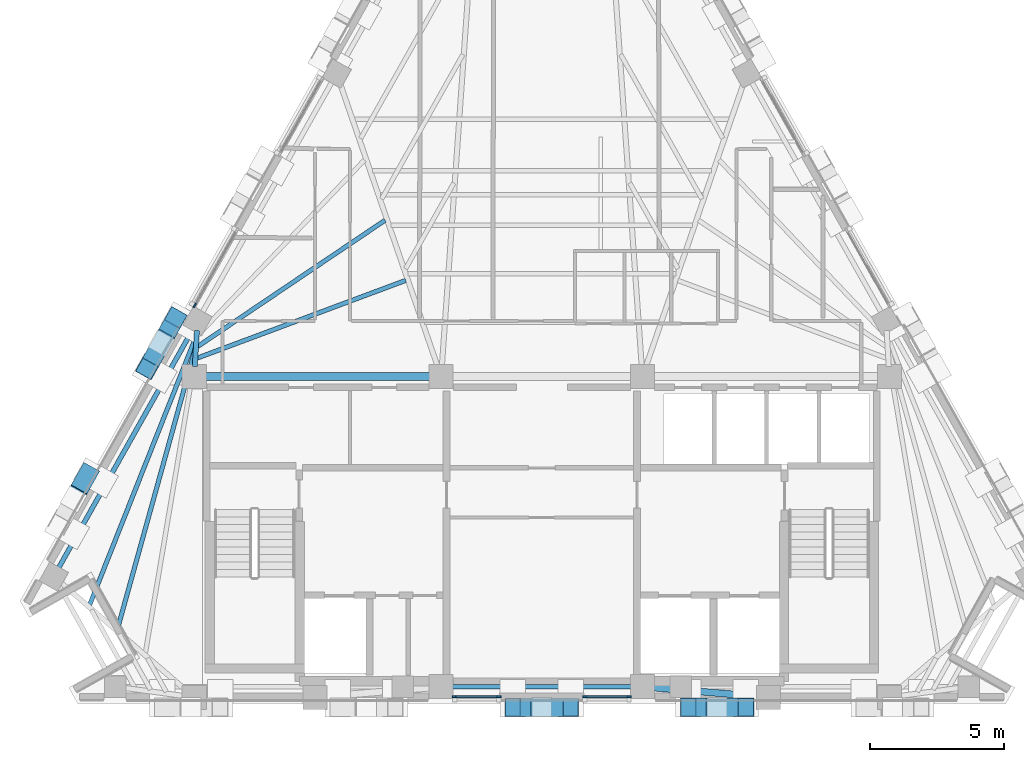
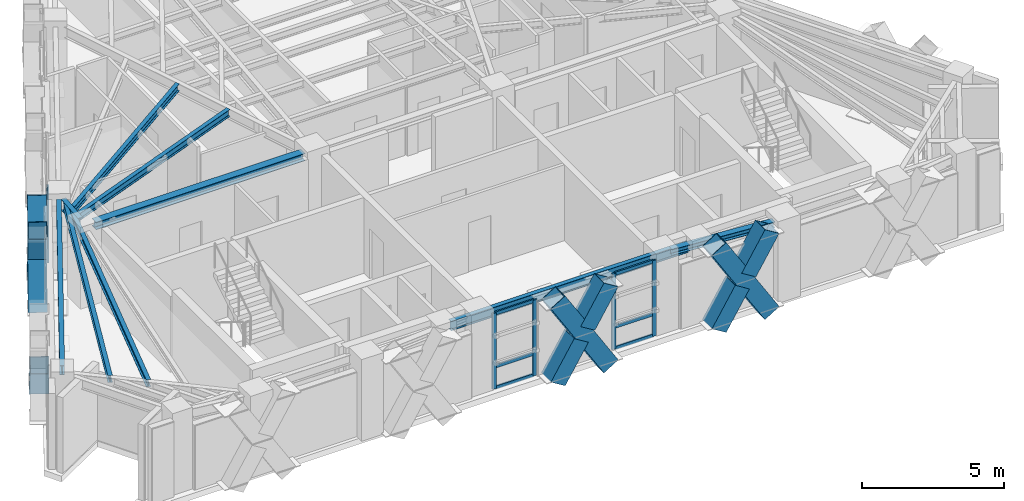
# One storey, part 2 of 10: 21 members, 9 beams, 3 elements without a shape of their own.
"""IFC4 building model written with IfcOpenShell, lengths in metres."""

import ifcopenshell
import ifcopenshell.guid

model = None  # the IFC model being written
_history = None  # IfcOwnerHistory: only IFC2X3 demands one
_inside = {}  # id of a spatial element -> (the spatial element, [elements in it])
_under = {}  # id of a project, library or spatial element -> (it, [spatial elements below it])
_declared = {}  # id of a project -> (the project, [libraries it declares])
_typed = {}  # id of a type object -> (the type object, [elements of that type])
_made_of = {}  # id of a material, layer set ... -> (it, [elements and type objects made of it])


def new_model(schema):
    """Start an empty IFC model of exactly this schema.

    Asked for "IFC4X3", IfcOpenShell would pick the latest addendum, in which some entities
    have other attributes; the version numbers below select the first issue.
    IFC2X3 requires an IfcOwnerHistory on every rooted entity: one is made here for all.
    """
    global model, _history
    if schema == "IFC4X3":
        model = ifcopenshell.file(schema_version=(4, 3, 0, 0))
    else:
        model = ifcopenshell.file(schema=schema)
    _inside.clear()
    _under.clear()
    _declared.clear()
    _typed.clear()
    _made_of.clear()
    _history = None
    if model.schema == "IFC2X3":
        org = make("IfcOrganization", Name="unknown")
        user = make(
            "IfcPersonAndOrganization",
            ThePerson=make("IfcPerson", FamilyName="unknown"),
            TheOrganization=org,
        )
        app = make(
            "IfcApplication",
            ApplicationDeveloper=org,
            Version="unknown",
            ApplicationFullName="unknown",
            ApplicationIdentifier="unknown",
        )
        _history = make(
            "IfcOwnerHistory",
            OwningUser=user,
            OwningApplication=app,
            ChangeAction="ADDED",
            CreationDate=0,
        )
    return model


def make(cls, **values):
    """One entity of the class cls with the attributes given. An attribute that is None is left unset."""
    return model.create_entity(
        cls, **{name: value for name, value in values.items() if value is not None}
    )


def rooted(cls, **values):
    """An entity with a GlobalId (a new one), such as an element, a storey or a relation."""
    return make(cls, GlobalId=ifcopenshell.guid.new(), OwnerHistory=_history, **values)


def si_unit(unit_type, name, prefix=None):
    """IfcSIUnit, for example si_unit("LENGTHUNIT", "METRE", prefix="MILLI")."""
    return make("IfcSIUnit", UnitType=unit_type, Prefix=prefix, Name=name)


def assignment(units):
    """IfcUnitAssignment: the units of a project."""
    return None if units is None else make("IfcUnitAssignment", Units=units)


def point(xyz):
    """IfcCartesianPoint."""
    return None if xyz is None else make("IfcCartesianPoint", Coordinates=xyz)


def direction(xyz):
    """IfcDirection."""
    return None if xyz is None else make("IfcDirection", DirectionRatios=xyz)


def frame(location, z_axis=None, x_axis=None):
    """IfcAxis2Placement3D, a coordinate frame: its origin and axes. An axis left out is left unset."""
    return make(
        "IfcAxis2Placement3D",
        Location=point(location),
        Axis=direction(z_axis),
        RefDirection=direction(x_axis),
    )


def frame_2d(location, x_axis=None):
    """IfcAxis2Placement2D, a coordinate frame in the plane: its origin and x axis."""
    return make(
        "IfcAxis2Placement2D", Location=point(location), RefDirection=direction(x_axis)
    )


def origin():
    """The frame at (0, 0, 0) with its axes left unset."""
    return frame((0.0, 0.0, 0.0))


def origin_2d():
    """The frame at (0, 0) in the plane with its x axis left unset."""
    return frame_2d((0.0, 0.0))


def place(relative_to, where):
    """IfcLocalPlacement: puts the frame where relative to a parent placement (None: the world)."""
    return make(
        "IfcLocalPlacement", PlacementRelTo=relative_to, RelativePlacement=where
    )


def context(
    kind, dimensions, precision=None, world=None, true_north=None, identifier=None
):
    """IfcGeometricRepresentationContext, for example the 3D "Model" context."""
    return make(
        "IfcGeometricRepresentationContext",
        ContextIdentifier=identifier,
        ContextType=kind,
        CoordinateSpaceDimension=dimensions,
        Precision=precision,
        WorldCoordinateSystem=world,
        TrueNorth=true_north,
    )


def subcontext(parent, identifier, kind, view, scale=None):
    """IfcGeometricRepresentationSubContext, for example "Body" below "Model"."""
    return make(
        "IfcGeometricRepresentationSubContext",
        ContextIdentifier=identifier,
        ContextType=kind,
        ParentContext=parent,
        TargetScale=scale,
        TargetView=view,
    )


def project(units=None, contexts=None):
    """IfcProject with its units and contexts."""
    return rooted(
        "IfcProject",
        Name="project",
        RepresentationContexts=contexts,
        UnitsInContext=assignment(units),
    )


def spatial(cls, under=None, at=None, **own):
    """A site, building, storey or space (cls), placed at a placement, below another one or the project."""
    s = rooted(cls, ObjectPlacement=at, **own)
    if under is not None:
        _under.setdefault(under.id(), (under, []))[1].append(s)
    return s


def profile(cls, at=None, kind="AREA", **sizes):
    """A parametric profile (cls). Its sizes go by their IFC names, for example OverallWidth=200.0."""
    return make(cls, ProfileType=kind, Position=at, **sizes)


def rectangle(**sizes):
    """IfcRectangleProfileDef."""
    return profile("IfcRectangleProfileDef", **sizes)


def hollow_rectangle(**sizes):
    """IfcRectangleHollowProfileDef."""
    return profile("IfcRectangleHollowProfileDef", **sizes)


def i_section(**sizes):
    """IfcIShapeProfileDef."""
    return profile("IfcIShapeProfileDef", **sizes)


def extrude(swept, where, along, depth):
    """IfcExtrudedAreaSolid: the profile swept, set in the frame where, extruded along a direction by depth."""
    return make(
        "IfcExtrudedAreaSolid",
        SweptArea=swept,
        Position=where,
        ExtrudedDirection=direction(along),
        Depth=depth,
    )


def shape(context_of_items, identifier, shape_type, items):
    """IfcShapeRepresentation: the items that make up one representation, for example the "Body"."""
    return make(
        "IfcShapeRepresentation",
        ContextOfItems=context_of_items,
        RepresentationIdentifier=identifier,
        RepresentationType=shape_type,
        Items=items,
    )


def material(Name=None, Category=None):
    """IfcMaterial."""
    return make("IfcMaterial", Name=Name, Category=Category)


def material_profile(
    of_material, cross_section, Name=None, Category=None, Priority=None
):
    """IfcMaterialProfile: a cross section and its material."""
    return make(
        "IfcMaterialProfile",
        Name=Name,
        Material=of_material,
        Profile=cross_section,
        Priority=Priority,
        Category=Category,
    )


def profile_set(profiles, Name=None, composite=None):
    """IfcMaterialProfileSet."""
    return make(
        "IfcMaterialProfileSet",
        Name=Name,
        MaterialProfiles=profiles,
        CompositeProfile=composite,
    )


def made_of(thing, what):
    """Note that an element or type object is made of a material, layer set ...; save() writes the relation."""
    if what is not None:
        _made_of.setdefault(what.id(), (what, []))[1].append(thing)
    return thing


def type_object(cls, material=None, **own):
    """A type object (cls), such as IfcWallType, which elements share."""
    return made_of(rooted(cls, **own), material)


def element(
    cls,
    number,
    at=None,
    inside=None,
    cuts=None,
    type_object=None,
    material=None,
    context=None,
    identifier="Body",
    shape_type=None,
    held_by="IfcProductDefinitionShape",
    body=None,
    shapes=None,
    **own,
):
    """One element of the class cls, such as IfcWall. Its Tag is "e" and its number.

    at: its placement. inside: the storey or other place that contains it. cuts: it is an
    opening in that element (IfcRelVoidsElement). A single representation is given by context,
    identifier, shape_type and body (its items); several are given by shapes. held_by: the class
    of the entity that holds the representations. save() writes the other relations.
    """
    e = rooted(cls, Tag="e%d" % number, ObjectPlacement=at, **own)
    if body is not None:
        shapes = [shape(context, identifier, shape_type, body)]
    if shapes is not None:
        e.Representation = make(held_by, Representations=shapes)
    if inside is not None:
        _inside.setdefault(inside.id(), (inside, []))[1].append(e)
    if cuts is not None:
        rooted(
            "IfcRelVoidsElement", RelatingBuildingElement=cuts, RelatedOpeningElement=e
        )
    if type_object is not None:
        _typed.setdefault(type_object.id(), (type_object, []))[1].append(e)
    return made_of(e, material)


def aggregate(whole, parts):
    """IfcRelAggregates: a whole, such as a stair, and the parts it consists of."""
    return rooted("IfcRelAggregates", RelatingObject=whole, RelatedObjects=parts)


def save(model, path):
    """Write the relations noted so far, then the file.

    IfcRelAggregates (storeys below a building ...), IfcRelContainedInSpatialStructure (elements
    in a storey), IfcRelDefinesByType, IfcRelAssociatesMaterial and IfcRelDeclares: one each for
    every whole, place, type object, material and project.
    """
    for whole, parts in _under.values():
        aggregate(whole, parts)
    for where, things in _inside.values():
        rooted(
            "IfcRelContainedInSpatialStructure",
            RelatedElements=things,
            RelatingStructure=where,
        )
    for kind, things in _typed.values():
        rooted("IfcRelDefinesByType", RelatedObjects=things, RelatingType=kind)
    for what, things in _made_of.values():
        rooted("IfcRelAssociatesMaterial", RelatedObjects=things, RelatingMaterial=what)
    for by, libraries in _declared.values():
        rooted("IfcRelDeclares", RelatingContext=by, RelatedDefinitions=libraries)
    model.write(path)


model = new_model("IFC4")

# Units and contexts
model_context = context("Model", 3, precision=1e-05, world=origin(), true_north=direction((0.0, 1.0)))
body_context = subcontext(model_context, "Body", "Model", "MODEL_VIEW")
ifc_project = project(units=[si_unit("LENGTHUNIT", "METRE"), si_unit("AREAUNIT", "SQUARE_METRE"), si_unit("VOLUMEUNIT", "CUBIC_METRE"), si_unit("PLANEANGLEUNIT", "RADIAN"), si_unit("MASSUNIT", "GRAM", prefix="KILO")], contexts=[model_context])

# Site, building, storey
site_placement = place(None, origin())
site = spatial("IfcSite", under=ifc_project, at=site_placement, CompositionType="ELEMENT")
building_placement = place(site_placement, origin())
building = spatial("IfcBuilding", under=site, at=building_placement, Name="Quenlor Broadcast Tower", CompositionType="ELEMENT")
storey_placement = place(building_placement, frame((0.0, 0.0, 232.39990234375)))
storey = spatial("IfcBuildingStorey", under=building, at=storey_placement, Name="L64", CompositionType="ELEMENT", Elevation=232.39990234375)

# Curtain wall, members
ifc_material_1 = material(Name="Architectural Terracotta and Low-E Glazing", Category="masonry")
curtain_wall_type = type_object("IfcCurtainWallType", Name="Unitised Terracotta Curtain Wall System Z5", PredefinedType="NOTDEFINED", material=ifc_material_1)
curtain_wall_1_placement = place(storey_placement, origin())
curtain_wall_1 = element("IfcCurtainWall", 1, at=curtain_wall_1_placement, inside=storey, type_object=curtain_wall_type, Name="L64 Curtain Wall CW5 (L64-S-G1)", PredefinedType="NOTDEFINED")
ifc_material_2 = material(Name="Aluminium 6063-T6", Category="aluminium")
ifc_material_profile_1 = material_profile(ifc_material_2, rectangle(XDim=0.06494140625, YDim=0.169921875, at=origin_2d()))
ifc_profile_set_1 = profile_set([ifc_material_profile_1], Name="Aluminium 6063-T6 MULL65x170")
member_type_1 = type_object("IfcMemberType", Name="CW5 Aluminium Mullion MULL_CW5", PredefinedType="MULLION", material=ifc_profile_set_1)
member_1_placement = place(storey_placement, frame((3.24755859375, -16.72509765625, 0.0), z_axis=(0.0, 0.0, 1.0), x_axis=(0.0, -1.0, 0.0)))
member_1 = element("IfcMember", 2, at=member_1_placement, type_object=member_type_1, Name="CW5 mullion 1", PredefinedType="MULLION", context=body_context, shape_type="SweptSolid", body=[
    extrude(rectangle(XDim=0.06494140625, YDim=0.169921875, at=origin_2d()), origin(), (0.0, 0.0, 1.0), 3.25),
])
member_2_placement = place(storey_placement, frame((1.60400390625, -16.72509765625, 0.0), z_axis=(0.0, 0.0, 1.0), x_axis=(0.0, -1.0, 0.0)))
member_2 = element("IfcMember", 3, at=member_2_placement, type_object=member_type_1, Name="CW5 mullion 2", PredefinedType="MULLION", context=body_context, shape_type="SweptSolid", body=[
    extrude(rectangle(XDim=0.06494140625, YDim=0.169921875, at=origin_2d()), origin(), (0.0, 0.0, 1.0), 3.25),
])

curtain_wall_2_placement = place(storey_placement, origin())
curtain_wall_2 = element("IfcCurtainWall", 4, at=curtain_wall_2_placement, inside=storey, type_object=curtain_wall_type, Name="L64 Curtain Wall CW5 (L64-S-G2)", PredefinedType="NOTDEFINED")
member_3_placement = place(storey_placement, frame((-1.60400390625, -16.72509765625, 0.0), z_axis=(0.0, 0.0, 1.0), x_axis=(0.0, -1.0, 0.0)))
member_3 = element("IfcMember", 5, at=member_3_placement, type_object=member_type_1, Name="CW5 mullion 1", PredefinedType="MULLION", context=body_context, shape_type="SweptSolid", body=[
    extrude(rectangle(XDim=0.06494140625, YDim=0.169921875, at=origin_2d()), origin(), (0.0, 0.0, 1.0), 3.25),
])
member_4_placement = place(storey_placement, frame((-3.24755859375, -16.72509765625, 0.0), z_axis=(0.0, 0.0, 1.0), x_axis=(0.0, -1.0, 0.0)))
member_4 = element("IfcMember", 6, at=member_4_placement, type_object=member_type_1, Name="CW5 mullion 2", PredefinedType="MULLION", context=body_context, shape_type="SweptSolid", body=[
    extrude(rectangle(XDim=0.06494140625, YDim=0.169921875, at=origin_2d()), origin(), (0.0, 0.0, 1.0), 3.25),
])

# Curtain wall, member
curtain_wall_3_placement = place(storey_placement, origin())
curtain_wall_3 = element("IfcCurtainWall", 7, at=curtain_wall_3_placement, inside=storey, type_object=curtain_wall_type, Name="L64 Curtain Wall CW5 (L64-NW-G1)", PredefinedType="NOTDEFINED")
member_5_placement = place(storey_placement, frame((-12.930419921875, -2.1484375, 0.0), z_axis=(0.0, 0.0, 1.0), x_axis=(-0.871574721405, 0.490262689797, 0.0)))
member_5 = element("IfcMember", 8, at=member_5_placement, type_object=member_type_1, Name="CW5 mullion 1", PredefinedType="MULLION", context=body_context, shape_type="SweptSolid", body=[
    extrude(rectangle(XDim=0.06494140625, YDim=0.169921875, at=origin_2d()), origin(), (0.0, 0.0, 1.0), 3.25),
])
aggregate(curtain_wall_3, [member_5])

# Member
ifc_material_3 = material(Name="Aluminium 6063-T6", Category="aluminium")
ifc_material_profile_2 = material_profile(ifc_material_3, rectangle(XDim=0.06494140625, YDim=0.139892578125, at=origin_2d()))
ifc_profile_set_2 = profile_set([ifc_material_profile_2], Name="Aluminium 6063-T6 TRAN65x140")
member_type_2 = type_object("IfcMemberType", Name="CW5 Aluminium Transom TRAN_CW5", PredefinedType="USERDEFINED", material=ifc_profile_set_2)
member_6_placement = place(storey_placement, frame((3.215087890625, -16.72509765625, 0.03271484375), z_axis=(-1.0, 0.0, 0.0), x_axis=(0.0, -1.0, 0.0)))
member_6 = element("IfcMember", 9, at=member_6_placement, type_object=member_type_2, Name="CW5 transom 1.1", ObjectType="TRANSOM", PredefinedType="USERDEFINED", context=body_context, shape_type="SweptSolid", body=[
    extrude(rectangle(XDim=0.06494140625, YDim=0.139892578125, at=origin_2d()), origin(), (0.0, 0.0, 1.0), 1.578369140625),
])

member_7_placement = place(storey_placement, frame((3.215087890625, -16.72509765625, 0.9501953125), z_axis=(-1.0, 0.0, 0.0), x_axis=(0.0, -1.0, 0.0)))
member_7 = element("IfcMember", 10, at=member_7_placement, type_object=member_type_2, Name="CW5 transom 1.2", ObjectType="TRANSOM", PredefinedType="USERDEFINED", context=body_context, shape_type="SweptSolid", body=[
    extrude(rectangle(XDim=0.06494140625, YDim=0.139892578125, at=origin_2d()), origin(), (0.0, 0.0, 1.0), 1.578369140625),
])

member_8_placement = place(storey_placement, frame((3.215087890625, -16.72509765625, 3.217529296875), z_axis=(-1.0, 0.0, 0.0), x_axis=(0.0, -1.0, 0.0)))
member_8 = element("IfcMember", 11, at=member_8_placement, type_object=member_type_2, Name="CW5 transom 1.3", ObjectType="TRANSOM", PredefinedType="USERDEFINED", context=body_context, shape_type="SweptSolid", body=[
    extrude(rectangle(XDim=0.06494140625, YDim=0.139892578125, at=origin_2d()), origin(), (0.0, 0.0, 1.0), 1.578369140625),
])

aggregate(curtain_wall_1, [member_1, member_2, member_6, member_7, member_8])

member_9_placement = place(storey_placement, frame((-1.63671875, -16.72509765625, 0.03271484375), z_axis=(-1.0, 0.0, 0.0), x_axis=(0.0, -1.0, 0.0)))
member_9 = element("IfcMember", 12, at=member_9_placement, type_object=member_type_2, Name="CW5 transom 1.1", ObjectType="TRANSOM", PredefinedType="USERDEFINED", context=body_context, shape_type="SweptSolid", body=[
    extrude(rectangle(XDim=0.06494140625, YDim=0.139892578125, at=origin_2d()), origin(), (0.0, 0.0, 1.0), 1.578369140625),
])

member_10_placement = place(storey_placement, frame((-1.63671875, -16.72509765625, 0.9501953125), z_axis=(-1.0, 0.0, 0.0), x_axis=(0.0, -1.0, 0.0)))
member_10 = element("IfcMember", 13, at=member_10_placement, type_object=member_type_2, Name="CW5 transom 1.2", ObjectType="TRANSOM", PredefinedType="USERDEFINED", context=body_context, shape_type="SweptSolid", body=[
    extrude(rectangle(XDim=0.06494140625, YDim=0.139892578125, at=origin_2d()), origin(), (0.0, 0.0, 1.0), 1.578369140625),
])

member_11_placement = place(storey_placement, frame((-1.63671875, -16.72509765625, 3.217529296875), z_axis=(-1.0, 0.0, 0.0), x_axis=(0.0, -1.0, 0.0)))
member_11 = element("IfcMember", 14, at=member_11_placement, type_object=member_type_2, Name="CW5 transom 1.3", ObjectType="TRANSOM", PredefinedType="USERDEFINED", context=body_context, shape_type="SweptSolid", body=[
    extrude(rectangle(XDim=0.06494140625, YDim=0.139892578125, at=origin_2d()), origin(), (0.0, 0.0, 1.0), 1.578369140625),
])

aggregate(curtain_wall_2, [member_3, member_4, member_9, member_10, member_11])

# Beams
ifc_material_4 = material(Name="Steel S355", Category="steel")
ifc_material_profile_3 = material_profile(ifc_material_4, i_section(OverallWidth=0.25390625, OverallDepth=0.25390625, WebThickness=0.008544921875, FlangeThickness=0.01416015625, FilletRadius=0.013916015625, at=origin_2d()))
ifc_profile_set_3 = profile_set([ifc_material_profile_3], Name="Steel S355 250UC72.9")
beam_type_1 = type_object("IfcBeamType", Name="Core Opening Lintel Beam Steel S355 250UC72.9", PredefinedType="LINTEL", material=ifc_profile_set_3)
beam_1_placement = place(storey_placement, frame((4.108642578125, -16.380615234375, 3.123291015625), z_axis=(0.996399763903, -0.084779186679, 0.0), x_axis=(0.084779186679, 0.996399763903, 0.0)))
element("IfcBeam", 15, at=beam_1_placement, inside=storey, type_object=beam_type_1, Name="L64 Core Opening Lintel Beam 5", PredefinedType="LINTEL", context=body_context, shape_type="SweptSolid", body=[
    extrude(i_section(OverallWidth=0.25390625, OverallDepth=0.25390625, WebThickness=0.008544921875, FlangeThickness=0.01416015625, FilletRadius=0.013916015625, at=origin_2d()), origin(), (0.0, 0.0, 1.0), 3.9970703125),
])
ifc_material_5 = material(Name="Steel S355", Category="steel")
ifc_material_profile_4 = material_profile(ifc_material_5, i_section(OverallWidth=0.306884765625, OverallDepth=0.314697265625, WebThickness=0.011962890625, FlangeThickness=0.018798828125, FilletRadius=0.0166015625, at=origin_2d()))
ifc_profile_set_4 = profile_set([ifc_material_profile_4], Name="Steel S355 310UC118")
beam_type_2 = type_object("IfcBeamType", Name="Core Tie Beam Steel S355 310UC118", PredefinedType="BEAM", material=ifc_profile_set_4)
beam_2_placement = place(storey_placement, frame((-12.590087890625, -4.800048828125, 3.0927734375), z_axis=(1.0, 0.0, 0.0), x_axis=(0.0, 1.0, 0.0)))
element("IfcBeam", 16, at=beam_2_placement, inside=storey, type_object=beam_type_2, Name="L64 Core Tie Beam 1", PredefinedType="BEAM", context=body_context, shape_type="SweptSolid", body=[
    extrude(i_section(OverallWidth=0.306884765625, OverallDepth=0.314697265625, WebThickness=0.011962890625, FlangeThickness=0.018798828125, FilletRadius=0.0166015625, at=origin_2d()), origin(), (0.0, 0.0, 1.0), 8.47998046875),
])

# Members
ifc_material_6 = material(Name="Steel S355", Category="steel")
ifc_material_profile_5 = material_profile(ifc_material_6, hollow_rectangle(XDim=0.679931640625, YDim=0.679931640625, WallThickness=0.02001953125, at=origin_2d()))
ifc_profile_set_5 = profile_set([ifc_material_profile_5], Name="Steel S355 RHS680x680x20")
member_type_3 = type_object("IfcMemberType", Name="Perimeter Diagonal Lattice Brace Z5-Crown Steel S355 RHS680x20", PredefinedType="BRACE", material=ifc_profile_set_5)
member_12_placement = place(storey_placement, frame((7.607666015625, -17.1201171875, -0.119873046875), z_axis=(-0.5236596973, 0.0, 0.851927532965), x_axis=(0.0, -1.0, 0.0)))
element("IfcMember", 17, at=member_12_placement, inside=storey, type_object=member_type_3, Name="L64 Perimeter Diamond Lattice S-C2XA", PredefinedType="BRACE", context=body_context, shape_type="SweptSolid", body=[
    extrude(hollow_rectangle(XDim=0.679931640625, YDim=0.679931640625, WallThickness=0.02001953125, at=origin_2d()), origin(), (0.0, 0.0, 1.0), 4.1083984375),
])
member_13_placement = place(storey_placement, frame((5.456298828125, -17.1201171875, -0.119873046875), z_axis=(0.523719849356, 0.0, 0.851890555993), x_axis=(0.0, 1.0, 0.0)))
element("IfcMember", 18, at=member_13_placement, inside=storey, type_object=member_type_3, Name="L64 Perimeter Diamond Lattice S-C2XB1", PredefinedType="BRACE", context=body_context, shape_type="SweptSolid", body=[
    extrude(hollow_rectangle(XDim=0.679931640625, YDim=0.679931640625, WallThickness=0.02001953125, at=origin_2d()), origin(), (0.0, 0.0, 1.0), 1.803955078125),
])
member_14_placement = place(storey_placement, frame((6.662841796875, -17.1201171875, 1.843017578125), z_axis=(0.523659478087, 0.0, 0.85192766771), x_axis=(0.0, 1.0, 0.0)))
element("IfcMember", 19, at=member_14_placement, inside=storey, type_object=member_type_3, Name="L64 Perimeter Diamond Lattice S-C2XB2", PredefinedType="BRACE", context=body_context, shape_type="SweptSolid", body=[
    extrude(hollow_rectangle(XDim=0.679931640625, YDim=0.679931640625, WallThickness=0.02001953125, at=origin_2d()), origin(), (0.0, 0.0, 1.0), 1.80419921875),
])
member_15_placement = place(storey_placement, frame((1.07568359375, -17.1201171875, -0.119873046875), z_axis=(-0.5236596973, 0.0, 0.851927532965), x_axis=(0.0, -1.0, 0.0)))
element("IfcMember", 20, at=member_15_placement, inside=storey, type_object=member_type_3, Name="L64 Perimeter Diamond Lattice S-C3XA", PredefinedType="BRACE", context=body_context, shape_type="SweptSolid", body=[
    extrude(hollow_rectangle(XDim=0.679931640625, YDim=0.679931640625, WallThickness=0.02001953125, at=origin_2d()), origin(), (0.0, 0.0, 1.0), 4.1083984375),
])
member_16_placement = place(storey_placement, frame((-1.07568359375, -17.1201171875, -0.119873046875), z_axis=(0.523719849356, 0.0, 0.851890555993), x_axis=(0.0, 1.0, 0.0)))
element("IfcMember", 21, at=member_16_placement, inside=storey, type_object=member_type_3, Name="L64 Perimeter Diamond Lattice S-C3XB1", PredefinedType="BRACE", context=body_context, shape_type="SweptSolid", body=[
    extrude(hollow_rectangle(XDim=0.679931640625, YDim=0.679931640625, WallThickness=0.02001953125, at=origin_2d()), origin(), (0.0, 0.0, 1.0), 1.803955078125),
])
member_17_placement = place(storey_placement, frame((0.130859375, -17.1201171875, 1.843017578125), z_axis=(0.523659478087, 0.0, 0.85192766771), x_axis=(0.0, 1.0, 0.0)))
element("IfcMember", 22, at=member_17_placement, inside=storey, type_object=member_type_3, Name="L64 Perimeter Diamond Lattice S-C3XB2", PredefinedType="BRACE", context=body_context, shape_type="SweptSolid", body=[
    extrude(hollow_rectangle(XDim=0.679931640625, YDim=0.679931640625, WallThickness=0.02001953125, at=origin_2d()), origin(), (0.0, 0.0, 1.0), 1.80419921875),
])
member_18_placement = place(storey_placement, frame((-16.905517578125, -8.40966796875, -0.119873046875), z_axis=(-0.26068648878, -0.463293264743, 0.846995811921), x_axis=(0.871507987664, -0.490381308207, 0.0)))
element("IfcMember", 23, at=member_18_placement, inside=storey, type_object=member_type_3, Name="L64 Perimeter Diamond Lattice NW-C1XB1", PredefinedType="BRACE", context=body_context, shape_type="SweptSolid", body=[
    extrude(hollow_rectangle(XDim=0.679931640625, YDim=0.679931640625, WallThickness=0.02001953125, at=origin_2d()), origin(), (0.0, 0.0, 1.0), 1.81591796875),
])
member_19_placement = place(storey_placement, frame((-14.712646484375, -4.510986328125, -0.119873046875), z_axis=(0.260563732169, 0.463283497491, 0.847038926161), x_axis=(-0.871602253711, 0.49021374045, 0.0)))
element("IfcMember", 24, at=member_19_placement, inside=storey, type_object=member_type_3, Name="L64 Perimeter Diamond Lattice NW-C2XA", PredefinedType="BRACE", context=body_context, shape_type="SweptSolid", body=[
    extrude(hollow_rectangle(XDim=0.679931640625, YDim=0.679931640625, WallThickness=0.02001953125, at=origin_2d()), origin(), (0.0, 0.0, 1.0), 4.132080078125),
])
for number, where, z_axis, x_axis, name in (
    (25, (-13.635986328125, -2.5966796875, -0.119873046875), (-0.260561174869, -0.463309498762, 0.847025491062), (0.871616063886, -0.490189185087, 0.0), "L64 Perimeter Diamond Lattice NW-C2XB1"),
    (26, (-14.239501953125, -3.669921875, 1.841796875), (-0.26054772884, -0.463151148531, 0.847116222611), (0.871555267041, -0.490297273593, 0.0), "L64 Perimeter Diamond Lattice NW-C2XB2"),
):
    element("IfcMember", number, at=place(storey_placement, frame(where, z_axis=z_axis, x_axis=x_axis)), inside=storey, type_object=member_type_3, Name=name, PredefinedType="BRACE", context=body_context, shape_type="SweptSolid", body=[
        extrude(hollow_rectangle(XDim=0.679931640625, YDim=0.679931640625, WallThickness=0.02001953125, at=origin_2d()), origin(), (0.0, 0.0, 1.0), 1.81591796875),
    ])

# Beams
ifc_material_7 = material(Name="Steel S355", Category="steel")
ifc_material_profile_6 = material_profile(ifc_material_7, i_section(OverallWidth=0.177978515625, OverallDepth=0.406494140625, WebThickness=0.0078125, FlangeThickness=0.0126953125, FilletRadius=0.011474609375, at=origin_2d()))
ifc_profile_set_6 = profile_set([ifc_material_profile_6], Name="Steel S355 410UB59.7")
beam_type_3 = type_object("IfcBeamType", Name="Perimeter Spandrel Beam Z5 Steel S355 410UB59.7", PredefinedType="SPANDREL", material=ifc_profile_set_6)
beam_3_placement = place(storey_placement, frame((-4.823974609375, -16.35009765625, 3.046875), z_axis=(1.0, 0.0, 0.0), x_axis=(0.0, 1.0, 0.0)))
element("IfcBeam", 27, at=beam_3_placement, inside=storey, type_object=beam_type_3, Name="L64 Spandrel Beam S2-S3", PredefinedType="SPANDREL", context=body_context, shape_type="SweptSolid", body=[
    extrude(i_section(OverallWidth=0.177978515625, OverallDepth=0.406494140625, WebThickness=0.0078125, FlangeThickness=0.0126953125, FilletRadius=0.011474609375, at=origin_2d()), origin(), (0.0, 0.0, 1.0), 9.64794921875),
])
beam_4_placement = place(storey_placement, frame((-13.001953125, -3.04052734375, 3.046875), z_axis=(-0.490274867878, -0.871567871096, 0.0), x_axis=(0.871567871096, -0.490274867878, 0.0)))
element("IfcBeam", 28, at=beam_4_placement, inside=storey, type_object=beam_type_3, Name="L64 Spandrel Beam NW3-NW4", PredefinedType="SPANDREL", context=body_context, shape_type="SweptSolid", body=[
    extrude(i_section(OverallWidth=0.177978515625, OverallDepth=0.406494140625, WebThickness=0.0078125, FlangeThickness=0.0126953125, FilletRadius=0.011474609375, at=origin_2d()), origin(), (0.0, 0.0, 1.0), 10.206298828125),
])
ifc_material_8 = material(Name="Steel S355", Category="steel")
ifc_material_profile_7 = material_profile(ifc_material_8, i_section(OverallWidth=0.166015625, OverallDepth=0.30712890625, WebThickness=0.006591796875, FlangeThickness=0.01171875, FilletRadius=0.011474609375, at=origin_2d()))
ifc_profile_set_7 = profile_set([ifc_material_profile_7], Name="Steel S355 310UB46.2")
beam_type_4 = type_object("IfcBeamType", Name="Tower Composite Joist Z4-Z5 Steel S355 310UB46.2", PredefinedType="JOIST", material=ifc_profile_set_7)
beam_5_placement = place(storey_placement, frame((-12.835205078125, -4.108642578125, 3.096435546875), z_axis=(0.937062080226, 0.349162795559, 0.0), x_axis=(-0.349162795559, 0.937062080226, 0.0)))
element("IfcBeam", 29, at=beam_5_placement, inside=storey, type_object=beam_type_4, Name="L64 Secondary Composite Joist 7", PredefinedType="JOIST", context=body_context, shape_type="SweptSolid", body=[
    extrude(i_section(OverallWidth=0.166015625, OverallDepth=0.30712890625, WebThickness=0.006591796875, FlangeThickness=0.01171875, FilletRadius=0.011474609375, at=origin_2d()), origin(), (0.0, 0.0, 1.0), 8.286376953125),
])
beam_6_placement = place(storey_placement, frame((-12.81884765625, -3.67724609375, 3.096435546875), z_axis=(0.829286301475, 0.558823970661, 0.0), x_axis=(-0.558823970661, 0.829286301475, 0.0)))
element("IfcBeam", 30, at=beam_6_placement, inside=storey, type_object=beam_type_4, Name="L64 Secondary Composite Joist 8", PredefinedType="JOIST", context=body_context, shape_type="SweptSolid", body=[
    extrude(i_section(OverallWidth=0.166015625, OverallDepth=0.30712890625, WebThickness=0.006591796875, FlangeThickness=0.01171875, FilletRadius=0.011474609375, at=origin_2d()), origin(), (0.0, 0.0, 1.0), 8.415771484375),
])
beam_7_placement = place(storey_placement, frame((-15.806396484375, -14.197998046875, 3.096435546875), z_axis=(0.26744552871, 0.96357298072, 0.0), x_axis=(-0.96357298072, 0.26744552871, 0.0)))
element("IfcBeam", 31, at=beam_7_placement, inside=storey, type_object=beam_type_4, Name="L64 Secondary Composite Joist 14", PredefinedType="JOIST", context=body_context, shape_type="SweptSolid", body=[
    extrude(i_section(OverallWidth=0.166015625, OverallDepth=0.30712890625, WebThickness=0.006591796875, FlangeThickness=0.01171875, FilletRadius=0.011474609375, at=origin_2d()), origin(), (0.0, 0.0, 1.0), 10.856689453125),
])
beam_8_placement = place(storey_placement, frame((-16.8447265625, -13.300537109375, 3.096435546875), z_axis=(0.368680258049, 0.929556274426, 0.0), x_axis=(-0.929556274426, 0.368680258049, 0.0)))
element("IfcBeam", 32, at=beam_8_placement, inside=storey, type_object=beam_type_4, Name="L64 Secondary Composite Joist 15", PredefinedType="JOIST", context=body_context, shape_type="SweptSolid", body=[
    extrude(i_section(OverallWidth=0.166015625, OverallDepth=0.30712890625, WebThickness=0.006591796875, FlangeThickness=0.01171875, FilletRadius=0.011474609375, at=origin_2d()), origin(), (0.0, 0.0, 1.0), 10.737548828125),
])
ifc_material_9 = material(Name="Steel S355", Category="steel")
ifc_material_profile_8 = material_profile(ifc_material_9, i_section(OverallWidth=0.19091796875, OverallDepth=0.46044921875, WebThickness=0.010009765625, FlangeThickness=0.01611328125, FilletRadius=0.011474609375, at=origin_2d()))
ifc_profile_set_8 = profile_set([ifc_material_profile_8], Name="Steel S355 460UB82.1")
beam_type_5 = type_object("IfcBeamType", Name="Tower Primary Floor Beam Z5 Steel S355 460UB82.1", PredefinedType="BEAM", material=ifc_profile_set_8)
beam_9_placement = place(storey_placement, frame((-12.84716796875, -3.086181640625, 3.02001953125), z_axis=(-0.059899569349, -0.998204408722, 0.0), x_axis=(0.998204408722, -0.059899569349, 0.0)))
element("IfcBeam", 33, at=beam_9_placement, inside=storey, type_object=beam_type_5, Name="L64 Primary Radial Beam NW3", PredefinedType="BEAM", context=body_context, shape_type="SweptSolid", body=[
    extrude(i_section(OverallWidth=0.19091796875, OverallDepth=0.46044921875, WebThickness=0.010009765625, FlangeThickness=0.01611328125, FilletRadius=0.011474609375, at=origin_2d()), origin(), (0.0, 0.0, 1.0), 1.3369140625),
])

save(model, "model.ifc")
